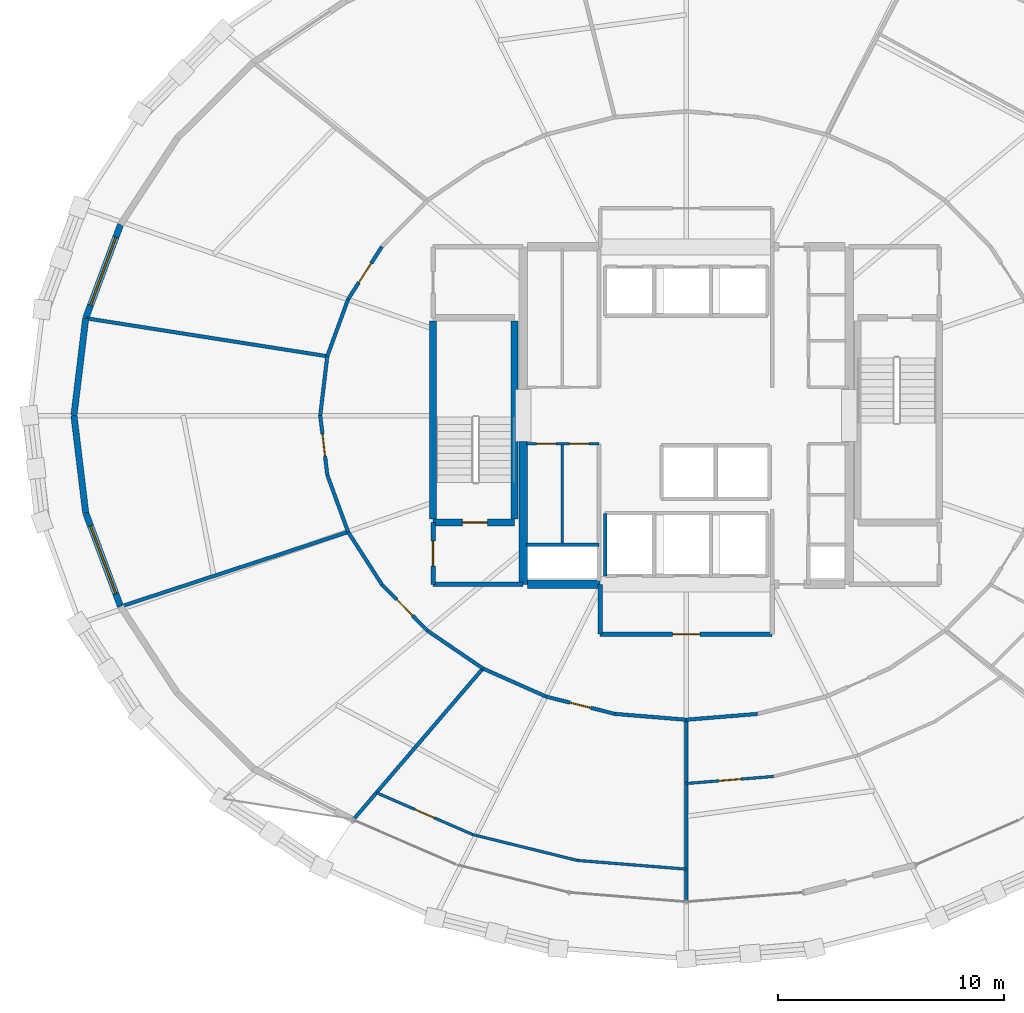
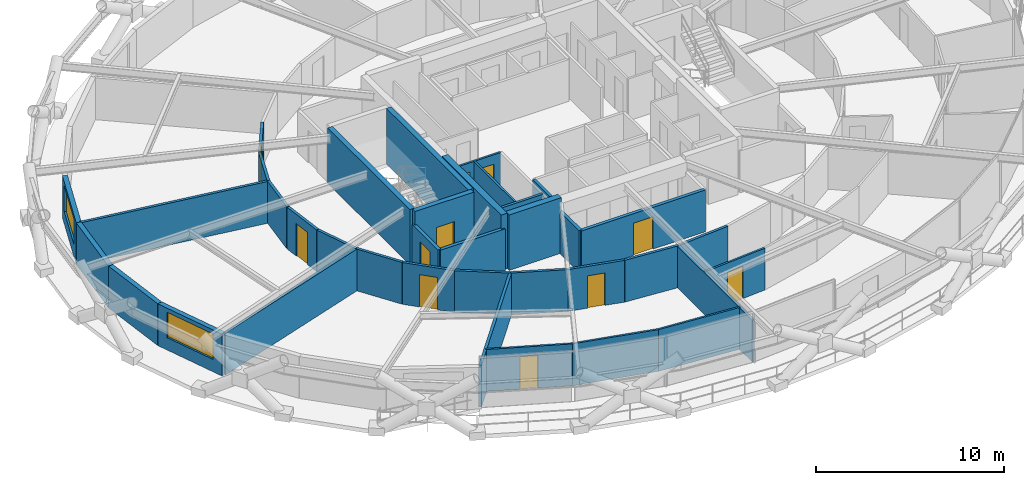
# One storey, part 15 of 22: 37 walls, 11 doors, 2 windows, 13 openings.
"""IFC4 building model written with IfcOpenShell, lengths in metres."""

import ifcopenshell
import ifcopenshell.guid

model = None  # the IFC model being written
_history = None  # IfcOwnerHistory: only IFC2X3 demands one
_inside = {}  # id of a spatial element -> (the spatial element, [elements in it])
_under = {}  # id of a project, library or spatial element -> (it, [spatial elements below it])
_declared = {}  # id of a project -> (the project, [libraries it declares])
_typed = {}  # id of a type object -> (the type object, [elements of that type])
_made_of = {}  # id of a material, layer set ... -> (it, [elements and type objects made of it])


def new_model(schema):
    """Start an empty IFC model of exactly this schema.

    Asked for "IFC4X3", IfcOpenShell would pick the latest addendum, in which some entities
    have other attributes; the version numbers below select the first issue.
    IFC2X3 requires an IfcOwnerHistory on every rooted entity: one is made here for all.
    """
    global model, _history
    if schema == "IFC4X3":
        model = ifcopenshell.file(schema_version=(4, 3, 0, 0))
    else:
        model = ifcopenshell.file(schema=schema)
    _inside.clear()
    _under.clear()
    _declared.clear()
    _typed.clear()
    _made_of.clear()
    _history = None
    if model.schema == "IFC2X3":
        org = make("IfcOrganization", Name="unknown")
        user = make(
            "IfcPersonAndOrganization",
            ThePerson=make("IfcPerson", FamilyName="unknown"),
            TheOrganization=org,
        )
        app = make(
            "IfcApplication",
            ApplicationDeveloper=org,
            Version="unknown",
            ApplicationFullName="unknown",
            ApplicationIdentifier="unknown",
        )
        _history = make(
            "IfcOwnerHistory",
            OwningUser=user,
            OwningApplication=app,
            ChangeAction="ADDED",
            CreationDate=0,
        )
    return model


def make(cls, **values):
    """One entity of the class cls with the attributes given. An attribute that is None is left unset."""
    return model.create_entity(
        cls, **{name: value for name, value in values.items() if value is not None}
    )


def rooted(cls, **values):
    """An entity with a GlobalId (a new one), such as an element, a storey or a relation."""
    return make(cls, GlobalId=ifcopenshell.guid.new(), OwnerHistory=_history, **values)


def si_unit(unit_type, name, prefix=None):
    """IfcSIUnit, for example si_unit("LENGTHUNIT", "METRE", prefix="MILLI")."""
    return make("IfcSIUnit", UnitType=unit_type, Prefix=prefix, Name=name)


def assignment(units):
    """IfcUnitAssignment: the units of a project."""
    return None if units is None else make("IfcUnitAssignment", Units=units)


def point(xyz):
    """IfcCartesianPoint."""
    return None if xyz is None else make("IfcCartesianPoint", Coordinates=xyz)


def direction(xyz):
    """IfcDirection."""
    return None if xyz is None else make("IfcDirection", DirectionRatios=xyz)


def frame(location, z_axis=None, x_axis=None):
    """IfcAxis2Placement3D, a coordinate frame: its origin and axes. An axis left out is left unset."""
    return make(
        "IfcAxis2Placement3D",
        Location=point(location),
        Axis=direction(z_axis),
        RefDirection=direction(x_axis),
    )


def frame_2d(location, x_axis=None):
    """IfcAxis2Placement2D, a coordinate frame in the plane: its origin and x axis."""
    return make(
        "IfcAxis2Placement2D", Location=point(location), RefDirection=direction(x_axis)
    )


def origin():
    """The frame at (0, 0, 0) with its axes left unset."""
    return frame((0.0, 0.0, 0.0))


def place(relative_to, where):
    """IfcLocalPlacement: puts the frame where relative to a parent placement (None: the world)."""
    return make(
        "IfcLocalPlacement", PlacementRelTo=relative_to, RelativePlacement=where
    )


def context(
    kind, dimensions, precision=None, world=None, true_north=None, identifier=None
):
    """IfcGeometricRepresentationContext, for example the 3D "Model" context."""
    return make(
        "IfcGeometricRepresentationContext",
        ContextIdentifier=identifier,
        ContextType=kind,
        CoordinateSpaceDimension=dimensions,
        Precision=precision,
        WorldCoordinateSystem=world,
        TrueNorth=true_north,
    )


def subcontext(parent, identifier, kind, view, scale=None):
    """IfcGeometricRepresentationSubContext, for example "Body" below "Model"."""
    return make(
        "IfcGeometricRepresentationSubContext",
        ContextIdentifier=identifier,
        ContextType=kind,
        ParentContext=parent,
        TargetScale=scale,
        TargetView=view,
    )


def project(units=None, contexts=None):
    """IfcProject with its units and contexts."""
    return rooted(
        "IfcProject",
        Name="project",
        RepresentationContexts=contexts,
        UnitsInContext=assignment(units),
    )


def spatial(cls, under=None, at=None, **own):
    """A site, building, storey or space (cls), placed at a placement, below another one or the project."""
    s = rooted(cls, ObjectPlacement=at, **own)
    if under is not None:
        _under.setdefault(under.id(), (under, []))[1].append(s)
    return s


def profile(cls, at=None, kind="AREA", **sizes):
    """A parametric profile (cls). Its sizes go by their IFC names, for example OverallWidth=200.0."""
    return make(cls, ProfileType=kind, Position=at, **sizes)


def rectangle(**sizes):
    """IfcRectangleProfileDef."""
    return profile("IfcRectangleProfileDef", **sizes)


def extrude(swept, where, along, depth):
    """IfcExtrudedAreaSolid: the profile swept, set in the frame where, extruded along a direction by depth."""
    return make(
        "IfcExtrudedAreaSolid",
        SweptArea=swept,
        Position=where,
        ExtrudedDirection=direction(along),
        Depth=depth,
    )


def shape(context_of_items, identifier, shape_type, items):
    """IfcShapeRepresentation: the items that make up one representation, for example the "Body"."""
    return make(
        "IfcShapeRepresentation",
        ContextOfItems=context_of_items,
        RepresentationIdentifier=identifier,
        RepresentationType=shape_type,
        Items=items,
    )


def material(Name=None, Category=None):
    """IfcMaterial."""
    return make("IfcMaterial", Name=Name, Category=Category)


def layer(
    of_material, thickness, ventilated=None, Name=None, Category=None, Priority=None
):
    """IfcMaterialLayer: one layer of a wall or slab, of a material (None: an air gap)."""
    return make(
        "IfcMaterialLayer",
        Material=of_material,
        LayerThickness=thickness,
        IsVentilated=ventilated,
        Name=Name,
        Category=Category,
        Priority=Priority,
    )


def layer_set(layers, Name=None):
    """IfcMaterialLayerSet."""
    return make("IfcMaterialLayerSet", MaterialLayers=layers, LayerSetName=Name)


def made_of(thing, what):
    """Note that an element or type object is made of a material, layer set ...; save() writes the relation."""
    if what is not None:
        _made_of.setdefault(what.id(), (what, []))[1].append(thing)
    return thing


def type_object(cls, material=None, **own):
    """A type object (cls), such as IfcWallType, which elements share."""
    return made_of(rooted(cls, **own), material)


def element(
    cls,
    number,
    at=None,
    inside=None,
    cuts=None,
    type_object=None,
    material=None,
    context=None,
    identifier="Body",
    shape_type=None,
    held_by="IfcProductDefinitionShape",
    body=None,
    shapes=None,
    **own,
):
    """One element of the class cls, such as IfcWall. Its Tag is "e" and its number.

    at: its placement. inside: the storey or other place that contains it. cuts: it is an
    opening in that element (IfcRelVoidsElement). A single representation is given by context,
    identifier, shape_type and body (its items); several are given by shapes. held_by: the class
    of the entity that holds the representations. save() writes the other relations.
    """
    e = rooted(cls, Tag="e%d" % number, ObjectPlacement=at, **own)
    if body is not None:
        shapes = [shape(context, identifier, shape_type, body)]
    if shapes is not None:
        e.Representation = make(held_by, Representations=shapes)
    if inside is not None:
        _inside.setdefault(inside.id(), (inside, []))[1].append(e)
    if cuts is not None:
        rooted(
            "IfcRelVoidsElement", RelatingBuildingElement=cuts, RelatedOpeningElement=e
        )
    if type_object is not None:
        _typed.setdefault(type_object.id(), (type_object, []))[1].append(e)
    return made_of(e, material)


def fill(opening, filler):
    """IfcRelFillsElement: the door or window that sits in an opening."""
    return rooted(
        "IfcRelFillsElement",
        RelatingOpeningElement=opening,
        RelatedBuildingElement=filler,
    )


def aggregate(whole, parts):
    """IfcRelAggregates: a whole, such as a stair, and the parts it consists of."""
    return rooted("IfcRelAggregates", RelatingObject=whole, RelatedObjects=parts)


def save(model, path):
    """Write the relations noted so far, then the file.

    IfcRelAggregates (storeys below a building ...), IfcRelContainedInSpatialStructure (elements
    in a storey), IfcRelDefinesByType, IfcRelAssociatesMaterial and IfcRelDeclares: one each for
    every whole, place, type object, material and project.
    """
    for whole, parts in _under.values():
        aggregate(whole, parts)
    for where, things in _inside.values():
        rooted(
            "IfcRelContainedInSpatialStructure",
            RelatedElements=things,
            RelatingStructure=where,
        )
    for kind, things in _typed.values():
        rooted("IfcRelDefinesByType", RelatedObjects=things, RelatingType=kind)
    for what, things in _made_of.values():
        rooted("IfcRelAssociatesMaterial", RelatedObjects=things, RelatingMaterial=what)
    for by, libraries in _declared.values():
        rooted("IfcRelDeclares", RelatingContext=by, RelatedDefinitions=libraries)
    model.write(path)


model = new_model("IFC4")

# Units and contexts
model_context = context("Model", 3, precision=1e-05, world=origin(), true_north=direction((0.0, 1.0)))
body_context = subcontext(model_context, "Body", "Model", "MODEL_VIEW")
ifc_project = project(units=[si_unit("LENGTHUNIT", "METRE"), si_unit("AREAUNIT", "SQUARE_METRE"), si_unit("VOLUMEUNIT", "CUBIC_METRE"), si_unit("PLANEANGLEUNIT", "RADIAN"), si_unit("MASSUNIT", "GRAM", prefix="KILO")], contexts=[model_context])

# Site, building, storey
site_placement = place(None, origin())
site = spatial("IfcSite", under=ifc_project, at=site_placement, CompositionType="ELEMENT")
building_placement = place(site_placement, origin())
building = spatial("IfcBuilding", under=site, at=building_placement, Name="Veldorina Hangang Commons", CompositionType="ELEMENT")
storey_placement = place(building_placement, frame((0.0, 0.0, 80.800048828125)))
storey = spatial("IfcBuildingStorey", under=building, at=storey_placement, Name="L20", CompositionType="ELEMENT", Elevation=80.800048828125)

# Walls
ifc_material_1 = material(Name="Concrete C70/85", Category="concrete")
ifc_layer_1 = layer(ifc_material_1, 0.3798828125)
ifc_layer_set_1 = layer_set([ifc_layer_1], Name="Concrete C70/85")
wall_type_1 = type_object("IfcWallType", Name="CW-RC380-C70", PredefinedType="SHEAR", material=ifc_layer_set_1)
wall_1_placement = place(storey_placement, frame((24.800048828125, 16.550048828125, 0.0), z_axis=(0.0, 0.0, 1.0), x_axis=(0.0, 1.0, 0.0)))
element("IfcWall", 1, at=wall_1_placement, inside=storey, type_object=wall_type_1, Name="L20 W south core shear wall", PredefinedType="SHEAR", context=body_context, shape_type="SweptSolid", body=[
    extrude(rectangle(XDim=6.300048828125, YDim=0.3798828125, at=frame_2d((3.14990234375, 0.0))), origin(), (0.0, 0.0, 1.0), 3.599853515625),
])
wall_2_placement = place(storey_placement, frame((24.989990234375, 16.550048828125, 0.0), z_axis=(0.0, 0.0, 1.0), x_axis=(1.0, 0.0, 0.0)))
element("IfcWall", 2, at=wall_2_placement, inside=storey, type_object=wall_type_1, Name="L20 south-west core shear wall", PredefinedType="SHEAR", context=body_context, shape_type="SweptSolid", body=[
    extrude(rectangle(XDim=3.2099609375, YDim=0.3798828125, at=frame_2d((1.60498046875, 0.0))), origin(), (0.0, 0.0, 1.0), 3.599853515625),
])

# Wall, opening, window
ifc_material_2 = material(Name="Stone Roman Travertine", Category="masonry")
ifc_layer_2 = layer(ifc_material_2, 0.280029296875)
ifc_layer_set_2 = layer_set([ifc_layer_2], Name="Stone Roman Travertine")
wall_type_2 = type_object("IfcWallType", Name="EW-TRAV-280", PredefinedType="STANDARD", material=ifc_layer_set_2)
wall_3_placement = place(storey_placement, frame((7.018310546875, 32.434326171875, 0.0), z_axis=(0.0, 0.0, 1.0), x_axis=(-0.348811713435, -0.93719282358, 0.0)))
wall_3 = element("IfcWall", 3, at=wall_3_placement, inside=storey, type_object=wall_type_2, Name="L20 travertine facade wall 14", PredefinedType="STANDARD", context=body_context, shape_type="SweptSolid", body=[
    extrude(rectangle(XDim=4.41162109375, YDim=0.280029296875, at=frame_2d((2.205810546875, 0.0))), origin(), (0.0, 0.0, 1.0), 2.7099609375),
])
opening_1_placement = place(wall_3_placement, frame((0.605712890625, 0.0, 0.800048828125)))
opening_1 = element("IfcOpeningElement", 4, at=opening_1_placement, cuts=wall_3, Name="Opening W-01", PredefinedType="OPENING", context=body_context, shape_type="SweptSolid", body=[
    extrude(rectangle(XDim=3.199951171875, YDim=1.64990234375, at=frame_2d((1.60009765625, 0.824951171875))), frame((0.0, 0.14990234375, 0.0), z_axis=(0.0, -1.0, 0.0), x_axis=(1.0, 0.0, 0.0)), (0.0, 0.0, 1.0), 0.300048828125),
])
ifc_material_3 = material(Name="Glass Low-E Triple IGU", Category="glass")
window_type = type_object("IfcWindowType", Name="WIN-TWR-3200", PartitioningType="SINGLE_PANEL", PredefinedType="WINDOW", material=ifc_material_3)
window_1_placement = place(opening_1_placement, origin())
window_1 = element("IfcWindow", 5, at=window_1_placement, inside=storey, type_object=window_type, Name="L20 facade window 14", OverallHeight=1.64990234375, OverallWidth=3.199951171875, PartitioningType="SINGLE_PANEL", PredefinedType="WINDOW", context=body_context, shape_type="SweptSolid", body=[
    extrude(rectangle(XDim=3.199951171875, YDim=1.64990234375, at=frame_2d((1.60009765625, 0.824951171875))), frame((0.0, 0.030029296875, 0.0), z_axis=(0.0, -1.0, 0.0), x_axis=(1.0, 0.0, 0.0)), (0.0, 0.0, 1.0), 0.06005859375),
])
fill(opening_1, window_1)

# Walls
for number, where, z_axis, x_axis, name in (
    (6, (5.4794921875, 28.2998046875, 0.0), (0.0, 0.0, 1.0), (-0.119954269921, -0.992779418163, 0.0), "L20 travertine facade wall 15"),
    (7, (4.9599609375, 24.0, 0.0), (0.0, 0.0, 1.0), (0.119954269921, -0.992779418163, 0.0), "L20 travertine facade wall 16"),
):
    element("IfcWall", number, at=place(storey_placement, frame(where, z_axis=z_axis, x_axis=x_axis)), inside=storey, type_object=wall_type_2, Name=name, PredefinedType="STANDARD", context=body_context, shape_type="SweptSolid", body=[
        extrude(rectangle(XDim=4.3310546875, YDim=0.280029296875, at=frame_2d((2.16552734375, 0.0))), origin(), (0.0, 0.0, 1.0), 2.7099609375),
    ])

# Wall, opening, window
wall_4_placement = place(storey_placement, frame((5.4794921875, 19.7001953125, 0.0), z_axis=(0.0, 0.0, 1.0), x_axis=(0.348811713435, -0.93719282358, 0.0)))
wall_4 = element("IfcWall", 8, at=wall_4_placement, inside=storey, type_object=wall_type_2, Name="L20 travertine facade wall 17", PredefinedType="STANDARD", context=body_context, shape_type="SweptSolid", body=[
    extrude(rectangle(XDim=4.41162109375, YDim=0.280029296875, at=frame_2d((2.205810546875, 0.0))), origin(), (0.0, 0.0, 1.0), 2.7099609375),
])
opening_2_placement = place(wall_4_placement, frame((0.605712890625, 0.0, 0.800048828125)))
opening_2 = element("IfcOpeningElement", 9, at=opening_2_placement, cuts=wall_4, Name="Opening W-01", PredefinedType="OPENING", context=body_context, shape_type="SweptSolid", body=[
    extrude(rectangle(XDim=3.199951171875, YDim=1.64990234375, at=frame_2d((1.60009765625, 0.824951171875))), frame((0.0, 0.14990234375, 0.0), z_axis=(0.0, -1.0, 0.0), x_axis=(1.0, 0.0, 0.0)), (0.0, 0.0, 1.0), 0.300048828125),
])
window_2_placement = place(opening_2_placement, origin())
window_2 = element("IfcWindow", 10, at=window_2_placement, inside=storey, type_object=window_type, Name="L20 facade window 17", OverallHeight=1.64990234375, OverallWidth=3.199951171875, PartitioningType="SINGLE_PANEL", PredefinedType="WINDOW", context=body_context, shape_type="SweptSolid", body=[
    extrude(rectangle(XDim=3.199951171875, YDim=1.64990234375, at=frame_2d((1.60009765625, 0.824951171875))), frame((0.0, 0.030029296875, 0.0), z_axis=(0.0, -1.0, 0.0), x_axis=(1.0, 0.0, 0.0)), (0.0, 0.0, 1.0), 0.06005859375),
])
fill(opening_2, window_2)

# Walls
ifc_material_4 = material(Name="Concrete C50/60", Category="concrete")
ifc_layer_3 = layer(ifc_material_4, 0.300048828125)
ifc_layer_set_3 = layer_set([ifc_layer_3], Name="Concrete C50/60")
wall_type_3 = type_object("IfcWallType", Name="SW-STAIR-300", PredefinedType="SHEAR", material=ifc_layer_set_3)
for number, where, z_axis, x_axis, name in (
    (11, (20.820068359375, 19.429931640625, 0.0), (0.0, 0.0, 1.0), (0.0, 1.0, 0.0), "L20 ST1 outer stair shear wall"),
    (12, (24.419921875, 19.429931640625, 0.0), (0.0, 0.0, 1.0), (0.0, 1.0, 0.0), "L20 ST1 inner stair shear wall"),
):
    element("IfcWall", number, at=place(storey_placement, frame(where, z_axis=z_axis, x_axis=x_axis)), inside=storey, type_object=wall_type_3, Name=name, PredefinedType="SHEAR", context=body_context, shape_type="SweptSolid", body=[
        extrude(rectangle(XDim=8.739990234375, YDim=0.300048828125, at=frame_2d((4.3701171875, 0.0))), origin(), (0.0, 0.0, 1.0), 3.599853515625),
    ])

# Wall, opening, door
wall_5_placement = place(storey_placement, frame((20.820068359375, 19.280029296875, 0.0), z_axis=(0.0, 0.0, 1.0), x_axis=(1.0, 0.0, 0.0)))
wall_5 = element("IfcWall", 13, at=wall_5_placement, inside=storey, type_object=wall_type_3, Name="L20 ST1 south stair shear wall", PredefinedType="SHEAR", context=body_context, shape_type="SweptSolid", body=[
    extrude(rectangle(XDim=3.599853515625, YDim=0.300048828125, at=frame_2d((1.7998046875, 0.0))), origin(), (0.0, 0.0, 1.0), 3.599853515625),
])
opening_3_placement = place(wall_5_placement, frame((1.300048828125, 0.0, 0.0)))
opening_3 = element("IfcOpeningElement", 14, at=opening_3_placement, cuts=wall_5, Name="Opening D-08", PredefinedType="OPENING", context=body_context, shape_type="SweptSolid", body=[
    extrude(rectangle(XDim=1.10009765625, YDim=2.10009765625, at=frame_2d((0.550048828125, 1.050048828125))), frame((0.0, 0.16015625, 0.0), z_axis=(0.0, -1.0, 0.0), x_axis=(1.0, 0.0, 0.0)), (0.0, 0.0, 1.0), 0.320068359375),
])
ifc_material_5 = material(Name="Steel Fire-Rated Smoke Seal", Category="steel")
door_type_1 = type_object("IfcDoorType", Name="DR-FIRE-1100", OperationType="SINGLE_SWING_RIGHT", PredefinedType="DOOR", material=ifc_material_5)
door_1_placement = place(opening_3_placement, origin())
door_1 = element("IfcDoor", 15, at=door_1_placement, inside=storey, type_object=door_type_1, Name="L20 Special Escape Stair ST-1 door", OperationType="SINGLE_SWING_LEFT", OverallHeight=2.10009765625, OverallWidth=1.10009765625, PredefinedType="DOOR", context=body_context, shape_type="SweptSolid", body=[
    extrude(rectangle(XDim=1.10009765625, YDim=2.10009765625, at=frame_2d((0.550048828125, 1.050048828125))), frame((0.0, 0.02490234375, 0.0), z_axis=(0.0, -1.0, 0.0), x_axis=(1.0, 0.0, 0.0)), (0.0, 0.0, 1.0), 0.050048828125),
])
fill(opening_3, door_1)

# Walls
ifc_material_6 = material(Name="Gypsum Fire-Rated Twin Stud Wall", Category="gypsum")
ifc_layer_4 = layer(ifc_material_6, 0.159912109375)
ifc_layer_set_4 = layer_set([ifc_layer_4], Name="Gypsum Fire-Rated Twin Stud Wall")
wall_type_4 = type_object("IfcWallType", Name="WL-FIRE-160", PredefinedType="SOLIDWALL", material=ifc_layer_set_4)
wall_6_placement = place(storey_placement, frame((28.419921875, 16.919921875, 0.0), z_axis=(0.0, 0.0, 1.0), x_axis=(0.0, 1.0, 0.0)))
element("IfcWall", 16, at=wall_6_placement, inside=storey, type_object=wall_type_4, Name="L20 FFL-1 west shaft wall 028", PredefinedType="SOLIDWALL", context=body_context, shape_type="SweptSolid", body=[
    extrude(rectangle(XDim=2.760009765625, YDim=0.159912109375, at=frame_2d((1.3798828125, 0.0))), origin(), (0.0, 0.0, 1.0), 2.7099609375),
])
wall_7_placement = place(storey_placement, frame((24.949951171875, 18.300048828125, 0.0), z_axis=(0.0, 0.0, 1.0), x_axis=(1.0, 0.0, 0.0)))
element("IfcWall", 17, at=wall_7_placement, inside=storey, type_object=wall_type_4, Name="L20 Electrical riser wall 035", PredefinedType="SOLIDWALL", context=body_context, shape_type="SweptSolid", body=[
    extrude(rectangle(XDim=3.199951171875, YDim=0.159912109375, at=frame_2d((1.60009765625, 0.0))), origin(), (0.0, 0.0, 1.0), 2.7099609375),
])

# Wall, opening, door
wall_8_placement = place(storey_placement, frame((18.561767578125, 31.46337890625, 0.0), z_axis=(0.0, 0.0, 1.0), x_axis=(-0.540891657444, -0.841092274907, 0.0)))
wall_8 = element("IfcWall", 18, at=wall_8_placement, inside=storey, type_object=wall_type_4, Name="L20 Corridor outer wall 13 063", PredefinedType="SOLIDWALL", context=body_context, shape_type="SweptSolid", body=[
    extrude(rectangle(XDim=2.760986328125, YDim=0.159912109375, at=frame_2d((1.38037109375, 0.0))), origin(), (0.0, 0.0, 1.0), 2.7099609375),
])
opening_4_placement = place(wall_8_placement, frame((0.880615234375, 0.0, 0.0)))
opening_4 = element("IfcOpeningElement", 19, at=opening_4_placement, cuts=wall_8, Name="Opening D-05", PredefinedType="OPENING", context=body_context, shape_type="SweptSolid", body=[
    extrude(rectangle(XDim=1.0, YDim=2.10009765625, at=frame_2d((0.5, 1.050048828125))), frame((0.0, 0.08984375, 0.0), z_axis=(0.0, -1.0, 0.0), x_axis=(1.0, 0.0, 0.0)), (0.0, 0.0, 1.0), 0.179931640625),
])
ifc_material_7 = material(Name="Timber Solid Core Acoustic", Category="wood")
door_type_2 = type_object("IfcDoorType", Name="DR-INT-1000", OperationType="SINGLE_SWING_RIGHT", PredefinedType="DOOR", material=ifc_material_7)
door_2_placement = place(opening_4_placement, origin())
door_2 = element("IfcDoor", 20, at=door_2_placement, inside=storey, type_object=door_type_2, Name="L20 Floor Study Room 6 door 038", OperationType="SINGLE_SWING_RIGHT", OverallHeight=2.10009765625, OverallWidth=1.0, PredefinedType="DOOR", context=body_context, shape_type="SweptSolid", body=[
    extrude(rectangle(XDim=1.0, YDim=2.10009765625, at=frame_2d((0.5, 1.050048828125))), frame((0.0, 0.02490234375, 0.0), z_axis=(0.0, -1.0, 0.0), x_axis=(1.0, 0.0, 0.0)), (0.0, 0.0, 1.0), 0.050048828125),
])
fill(opening_4, door_2)

# Walls
wall_9_placement = place(storey_placement, frame((17.068359375, 29.14111328125, 0.0), z_axis=(0.0, 0.0, 1.0), x_axis=(-0.342882618672, -0.939378257047, 0.0)))
element("IfcWall", 21, at=wall_9_placement, inside=storey, type_object=wall_type_4, Name="L20 Corridor outer wall 14 064", PredefinedType="SOLIDWALL", context=body_context, shape_type="SweptSolid", body=[
    extrude(rectangle(XDim=2.682861328125, YDim=0.159912109375, at=frame_2d((1.34130859375, 0.0))), origin(), (0.0, 0.0, 1.0), 2.7099609375),
])
wall_10_placement = place(storey_placement, frame((16.1484375, 26.620849609375, 0.0), z_axis=(0.0, 0.0, 1.0), x_axis=(-0.117667763342, -0.993053018459, 0.0)))
element("IfcWall", 22, at=wall_10_placement, inside=storey, type_object=wall_type_4, Name="L20 Corridor outer wall 15 065", PredefinedType="SOLIDWALL", context=body_context, shape_type="SweptSolid", body=[
    extrude(rectangle(XDim=2.63916015625, YDim=0.159912109375, at=frame_2d((1.319580078125, 0.0))), origin(), (0.0, 0.0, 1.0), 2.7099609375),
])

# Wall, opening, door
wall_11_placement = place(storey_placement, frame((15.837890625, 24.0, 0.0), z_axis=(0.0, 0.0, 1.0), x_axis=(0.117667763342, -0.993053018459, 0.0)))
wall_11 = element("IfcWall", 23, at=wall_11_placement, inside=storey, type_object=wall_type_4, Name="L20 Corridor outer wall 16 066", PredefinedType="SOLIDWALL", context=body_context, shape_type="SweptSolid", body=[
    extrude(rectangle(XDim=2.63916015625, YDim=0.159912109375, at=frame_2d((1.319580078125, 0.0))), origin(), (0.0, 0.0, 1.0), 2.7099609375),
])
opening_5_placement = place(wall_11_placement, frame((0.819580078125, 0.0, 0.0)))
opening_5 = element("IfcOpeningElement", 24, at=opening_5_placement, cuts=wall_11, Name="Opening D-05", PredefinedType="OPENING", context=body_context, shape_type="SweptSolid", body=[
    extrude(rectangle(XDim=1.0, YDim=2.10009765625, at=frame_2d((0.5, 1.050048828125))), frame((0.0, 0.08984375, 0.0), z_axis=(0.0, -1.0, 0.0), x_axis=(1.0, 0.0, 0.0)), (0.0, 0.0, 1.0), 0.179931640625),
])
door_3_placement = place(opening_5_placement, origin())
door_3 = element("IfcDoor", 25, at=door_3_placement, inside=storey, type_object=door_type_2, Name="L20 Seminar Focus Room 7 door 039", OperationType="SINGLE_SWING_LEFT", OverallHeight=2.10009765625, OverallWidth=1.0, PredefinedType="DOOR", context=body_context, shape_type="SweptSolid", body=[
    extrude(rectangle(XDim=1.0, YDim=2.10009765625, at=frame_2d((0.5, 1.050048828125))), frame((0.0, 0.02490234375, 0.0), z_axis=(0.0, -1.0, 0.0), x_axis=(1.0, 0.0, 0.0)), (0.0, 0.0, 1.0), 0.050048828125),
])
fill(opening_5, door_3)

# Walls
wall_12_placement = place(storey_placement, frame((16.1484375, 21.379150390625, 0.0), z_axis=(0.0, 0.0, 1.0), x_axis=(0.342882618672, -0.939378257047, 0.0)))
element("IfcWall", 26, at=wall_12_placement, inside=storey, type_object=wall_type_4, Name="L20 Corridor outer wall 17 067", PredefinedType="SOLIDWALL", context=body_context, shape_type="SweptSolid", body=[
    extrude(rectangle(XDim=2.682861328125, YDim=0.159912109375, at=frame_2d((1.34130859375, 0.0))), origin(), (0.0, 0.0, 1.0), 2.7099609375),
])
wall_13_placement = place(storey_placement, frame((17.068359375, 18.85888671875, 0.0), z_axis=(0.0, 0.0, 1.0), x_axis=(0.540891657444, -0.841092274907, 0.0)))
element("IfcWall", 27, at=wall_13_placement, inside=storey, type_object=wall_type_4, Name="L20 Corridor outer wall 18 068", PredefinedType="SOLIDWALL", context=body_context, shape_type="SweptSolid", body=[
    extrude(rectangle(XDim=2.760986328125, YDim=0.159912109375, at=frame_2d((1.38037109375, 0.0))), origin(), (0.0, 0.0, 1.0), 2.7099609375),
])

# Wall, opening, door
wall_14_placement = place(storey_placement, frame((18.561767578125, 16.53662109375, 0.0), z_axis=(0.0, 0.0, 1.0), x_axis=(0.702569520063, -0.711615113301, 0.0)))
wall_14 = element("IfcWall", 28, at=wall_14_placement, inside=storey, type_object=wall_type_4, Name="L20 Corridor outer wall 19 069", PredefinedType="SOLIDWALL", context=body_context, shape_type="SweptSolid", body=[
    extrude(rectangle(XDim=2.86083984375, YDim=0.159912109375, at=frame_2d((1.430419921875, 0.0))), origin(), (0.0, 0.0, 1.0), 2.7099609375),
])
opening_6_placement = place(wall_14_placement, frame((0.930419921875, 0.0, 0.0)))
opening_6 = element("IfcOpeningElement", 29, at=opening_6_placement, cuts=wall_14, Name="Opening D-05", PredefinedType="OPENING", context=body_context, shape_type="SweptSolid", body=[
    extrude(rectangle(XDim=1.0, YDim=2.10009765625, at=frame_2d((0.5, 1.050048828125))), frame((0.0, 0.08984375, 0.0), z_axis=(0.0, -1.0, 0.0), x_axis=(1.0, 0.0, 0.0)), (0.0, 0.0, 1.0), 0.179931640625),
])
door_4_placement = place(opening_6_placement, origin())
door_4 = element("IfcDoor", 30, at=door_4_placement, inside=storey, type_object=door_type_2, Name="L20 Seminar Focus Room 8 door 040", OperationType="SINGLE_SWING_RIGHT", OverallHeight=2.10009765625, OverallWidth=1.0, PredefinedType="DOOR", context=body_context, shape_type="SweptSolid", body=[
    extrude(rectangle(XDim=1.0, YDim=2.10009765625, at=frame_2d((0.5, 1.050048828125))), frame((0.0, 0.02490234375, 0.0), z_axis=(0.0, -1.0, 0.0), x_axis=(1.0, 0.0, 0.0)), (0.0, 0.0, 1.0), 0.050048828125),
])
fill(opening_6, door_4)

# Walls
wall_15_placement = place(storey_placement, frame((20.57177734375, 14.500732421875, 0.0), z_axis=(0.0, 0.0, 1.0), x_axis=(0.826112340767, -0.563505457323, 0.0)))
element("IfcWall", 31, at=wall_15_placement, inside=storey, type_object=wall_type_4, Name="L20 Corridor outer wall 20 070", PredefinedType="SOLIDWALL", context=body_context, shape_type="SweptSolid", body=[
    extrude(rectangle(XDim=2.96484375, YDim=0.159912109375, at=frame_2d((1.482421875, 0.0))), origin(), (0.0, 0.0, 1.0), 2.7099609375),
])
wall_16_placement = place(storey_placement, frame((23.02099609375, 12.830078125, 0.0), z_axis=(0.0, 0.0, 1.0), x_axis=(0.913860932409, -0.406027334321, 0.0)))
element("IfcWall", 32, at=wall_16_placement, inside=storey, type_object=wall_type_4, Name="L20 Corridor outer wall 21 071", PredefinedType="SOLIDWALL", context=body_context, shape_type="SweptSolid", body=[
    extrude(rectangle(XDim=3.0576171875, YDim=0.159912109375, at=frame_2d((1.52880859375, 0.0))), origin(), (0.0, 0.0, 1.0), 2.7099609375),
])

# Wall, opening, door
wall_17_placement = place(storey_placement, frame((25.815185546875, 11.588623046875, 0.0), z_axis=(0.0, 0.0, 1.0), x_axis=(0.969653665365, -0.244482656326, 0.0)))
wall_17 = element("IfcWall", 33, at=wall_17_placement, inside=storey, type_object=wall_type_4, Name="L20 Corridor outer wall 22 072", PredefinedType="SOLIDWALL", context=body_context, shape_type="SweptSolid", body=[
    extrude(rectangle(XDim=3.126708984375, YDim=0.159912109375, at=frame_2d((1.5634765625, 0.0))), origin(), (0.0, 0.0, 1.0), 2.7099609375),
])
opening_7_placement = place(wall_17_placement, frame((1.08837890625, 0.0, 0.0)))
opening_7 = element("IfcOpeningElement", 34, at=opening_7_placement, cuts=wall_17, Name="Opening D-02", PredefinedType="OPENING", context=body_context, shape_type="SweptSolid", body=[
    extrude(rectangle(XDim=0.949951171875, YDim=2.10009765625, at=frame_2d((0.47509765625, 1.050048828125))), frame((0.0, 0.08984375, 0.0), z_axis=(0.0, -1.0, 0.0), x_axis=(1.0, 0.0, 0.0)), (0.0, 0.0, 1.0), 0.179931640625),
])
door_type_3 = type_object("IfcDoorType", Name="DR-INT-950", OperationType="SINGLE_SWING_LEFT", PredefinedType="DOOR", material=ifc_material_7)
door_5_placement = place(opening_7_placement, origin())
door_5 = element("IfcDoor", 35, at=door_5_placement, inside=storey, type_object=door_type_3, Name="L20 Linen drying store door 041", OperationType="SINGLE_SWING_LEFT", OverallHeight=2.10009765625, OverallWidth=0.949951171875, PredefinedType="DOOR", context=body_context, shape_type="SweptSolid", body=[
    extrude(rectangle(XDim=0.949951171875, YDim=2.10009765625, at=frame_2d((0.47509765625, 1.050048828125))), frame((0.0, 0.02490234375, 0.0), z_axis=(0.0, -1.0, 0.0), x_axis=(1.0, 0.0, 0.0)), (0.0, 0.0, 1.0), 0.050048828125),
])
fill(opening_7, door_5)

# Walls
for number, where, z_axis, x_axis, name in (
    (36, (28.846923828125, 10.82421875, 0.0), (0.0, 0.0, 1.0), (0.996661331307, -0.081646743207, 0.0), "L20 Corridor outer wall 23 073"),
    (37, (32.0, 10.56591796875, 0.0), (0.0, 0.0, 1.0), (0.996661331307, 0.081646743207, 0.0), "L20 Corridor outer wall 24 074"),
):
    element("IfcWall", number, at=place(storey_placement, frame(where, z_axis=z_axis, x_axis=x_axis)), inside=storey, type_object=wall_type_4, Name=name, PredefinedType="SOLIDWALL", context=body_context, shape_type="SweptSolid", body=[
        extrude(rectangle(XDim=3.16357421875, YDim=0.159912109375, at=frame_2d((1.581787109375, 0.0))), origin(), (0.0, 0.0, 1.0), 2.7099609375),
    ])
wall_18_placement = place(storey_placement, frame((32.0, 10.56591796875, 0.0), z_axis=(0.0, 0.0, 1.0), x_axis=(0.0, -1.0, 0.0)))
element("IfcWall", 38, at=wall_18_placement, inside=storey, type_object=wall_type_4, Name="L20 Unit party wall 24 082", PredefinedType="SOLIDWALL", context=body_context, shape_type="SweptSolid", body=[
    extrude(rectangle(XDim=7.995849609375, YDim=0.159912109375, at=frame_2d((3.998046875, 0.0))), origin(), (0.0, 0.0, 1.0), 2.7099609375),
])
wall_19_placement = place(storey_placement, frame((16.1484375, 26.620849609375, 0.0), z_axis=(0.0, 0.0, 1.0), x_axis=(-0.987843119508, 0.155454080811, 0.0)))
element("IfcWall", 39, at=wall_19_placement, inside=storey, type_object=wall_type_4, Name="L20 Unit party wall 15 110", PredefinedType="SOLIDWALL", context=body_context, shape_type="SweptSolid", body=[
    extrude(rectangle(XDim=10.75, YDim=0.159912109375, at=frame_2d((5.375, 0.0))), origin(), (0.0, 0.0, 1.0), 2.7099609375),
])
wall_20_placement = place(storey_placement, frame((17.068359375, 18.85888671875, 0.0), z_axis=(0.0, 0.0, 1.0), x_axis=(-0.950282996708, -0.311387581909, 0.0)))
element("IfcWall", 40, at=wall_20_placement, inside=storey, type_object=wall_type_4, Name="L20 Unit party wall 18 111", PredefinedType="SOLIDWALL", context=body_context, shape_type="SweptSolid", body=[
    extrude(rectangle(XDim=10.525634765625, YDim=0.159912109375, at=frame_2d((5.2626953125, 0.0))), origin(), (0.0, 0.0, 1.0), 2.7099609375),
])
wall_21_placement = place(storey_placement, frame((23.02099609375, 12.830078125, 0.0), z_axis=(0.0, 0.0, 1.0), x_axis=(-0.650669722838, -0.75936085742, 0.0)))
element("IfcWall", 41, at=wall_21_placement, inside=storey, type_object=wall_type_4, Name="L20 Unit party wall 21 112", PredefinedType="SOLIDWALL", context=body_context, shape_type="SweptSolid", body=[
    extrude(rectangle(XDim=8.760009765625, YDim=0.159912109375, at=frame_2d((4.3798828125, 0.0))), origin(), (0.0, 0.0, 1.0), 2.7099609375),
])

# Wall, opening, door
ifc_material_8 = material(Name="Concrete Blockwork Fire Wall C30/37", Category="masonry")
ifc_layer_5 = layer(ifc_material_8, 0.199951171875)
ifc_layer_set_5 = layer_set([ifc_layer_5], Name="Concrete Blockwork Fire Wall C30/37")
wall_type_5 = type_object("IfcWallType", Name="WL-FIRE-200", PredefinedType="SOLIDWALL", material=ifc_layer_set_5)
wall_22_placement = place(storey_placement, frame((20.820068359375, 16.550048828125, 0.0), z_axis=(0.0, 0.0, 1.0), x_axis=(0.0, 1.0, 0.0)))
wall_22 = element("IfcWall", 42, at=wall_22_placement, inside=storey, type_object=wall_type_5, Name="L20 West vestibule outer wall 001", PredefinedType="SOLIDWALL", context=body_context, shape_type="SweptSolid", body=[
    extrude(rectangle(XDim=2.72998046875, YDim=0.199951171875, at=frame_2d((1.364990234375, 0.0))), origin(), (0.0, 0.0, 1.0), 2.7099609375),
])
opening_8_placement = place(wall_22_placement, frame((0.81494140625, 0.0, 0.0)))
opening_8 = element("IfcOpeningElement", 43, at=opening_8_placement, cuts=wall_22, Name="Opening D-08", PredefinedType="OPENING", context=body_context, shape_type="SweptSolid", body=[
    extrude(rectangle(XDim=1.10009765625, YDim=2.10009765625, at=frame_2d((0.550048828125, 1.050048828125))), frame((0.0, 0.10986328125, 0.0), z_axis=(0.0, -1.0, 0.0), x_axis=(1.0, 0.0, 0.0)), (0.0, 0.0, 1.0), 0.219970703125),
])
door_6_placement = place(opening_8_placement, origin())
door_6 = element("IfcDoor", 44, at=door_6_placement, inside=storey, type_object=door_type_1, Name="L20 West vestibule west door 001", OperationType="SINGLE_SWING_LEFT", OverallHeight=2.10009765625, OverallWidth=1.10009765625, PredefinedType="DOOR", context=body_context, shape_type="SweptSolid", body=[
    extrude(rectangle(XDim=1.10009765625, YDim=2.10009765625, at=frame_2d((0.550048828125, 1.050048828125))), frame((0.0, 0.02490234375, 0.0), z_axis=(0.0, -1.0, 0.0), x_axis=(1.0, 0.0, 0.0)), (0.0, 0.0, 1.0), 0.050048828125),
])
fill(opening_8, door_6)

# Walls
wall_23_placement = place(storey_placement, frame((20.820068359375, 16.550048828125, 0.0), z_axis=(0.0, 0.0, 1.0), x_axis=(1.0, 0.0, 0.0)))
element("IfcWall", 45, at=wall_23_placement, inside=storey, type_object=wall_type_5, Name="L20 West vestibule south wall 002", PredefinedType="SOLIDWALL", context=body_context, shape_type="SweptSolid", body=[
    extrude(rectangle(XDim=3.97998046875, YDim=0.199951171875, at=frame_2d((1.989990234375, 0.0))), origin(), (0.0, 0.0, 1.0), 2.7099609375),
])
wall_24_placement = place(storey_placement, frame((28.199951171875, 14.35009765625, 0.0), z_axis=(0.0, 0.0, 1.0), x_axis=(0.0, 1.0, 0.0)))
element("IfcWall", 46, at=wall_24_placement, inside=storey, type_object=wall_type_5, Name="L20 FF lobby west wall 012", PredefinedType="SOLIDWALL", context=body_context, shape_type="SweptSolid", body=[
    extrude(rectangle(XDim=2.199951171875, YDim=0.199951171875, at=frame_2d((1.10009765625, 0.0))), origin(), (0.0, 0.0, 1.0), 2.7099609375),
])

# Wall, opening, door
wall_25_placement = place(storey_placement, frame((28.199951171875, 14.35009765625, 0.0), z_axis=(0.0, 0.0, 1.0), x_axis=(1.0, 0.0, 0.0)))
wall_25 = element("IfcWall", 47, at=wall_25_placement, inside=storey, type_object=wall_type_5, Name="L20 FF lobby south wall 014", PredefinedType="SOLIDWALL", context=body_context, shape_type="SweptSolid", body=[
    extrude(rectangle(XDim=7.60009765625, YDim=0.199951171875, at=frame_2d((3.800048828125, 0.0))), origin(), (0.0, 0.0, 1.0), 2.7099609375),
])
opening_9_placement = place(wall_25_placement, frame((3.199951171875, 0.0, 0.0)))
opening_9 = element("IfcOpeningElement", 48, at=opening_9_placement, cuts=wall_25, Name="Opening D-09", PredefinedType="OPENING", context=body_context, shape_type="SweptSolid", body=[
    extrude(rectangle(XDim=1.199951171875, YDim=2.10009765625, at=frame_2d((0.60009765625, 1.050048828125))), frame((0.0, 0.10986328125, 0.0), z_axis=(0.0, -1.0, 0.0), x_axis=(1.0, 0.0, 0.0)), (0.0, 0.0, 1.0), 0.219970703125),
])
ifc_material_9 = material(Name="Steel Fire-Rated Corridor Door", Category="steel")
door_type_4 = type_object("IfcDoorType", Name="DR-FIRE-1200", OperationType="SINGLE_SWING_LEFT", PredefinedType="DOOR", material=ifc_material_9)
door_7_placement = place(opening_9_placement, origin())
door_7 = element("IfcDoor", 49, at=door_7_placement, inside=storey, type_object=door_type_4, Name="L20 FF lobby south corridor door 005", OperationType="SINGLE_SWING_LEFT", OverallHeight=2.10009765625, OverallWidth=1.199951171875, PredefinedType="DOOR", context=body_context, shape_type="SweptSolid", body=[
    extrude(rectangle(XDim=1.199951171875, YDim=2.10009765625, at=frame_2d((0.60009765625, 1.050048828125))), frame((0.0, 0.02490234375, 0.0), z_axis=(0.0, -1.0, 0.0), x_axis=(1.0, 0.0, 0.0)), (0.0, 0.0, 1.0), 0.050048828125),
])
fill(opening_9, door_7)

# Wall, openings, doors
ifc_material_10 = material(Name="Gypsum Acoustic Stud Partition", Category="gypsum")
ifc_layer_6 = layer(ifc_material_10, 0.1201171875)
ifc_layer_set_6 = layer_set([ifc_layer_6], Name="Gypsum Acoustic Stud Partition")
wall_type_6 = type_object("IfcWallType", Name="WL-PART-120", PredefinedType="PARTITIONING", material=ifc_layer_set_6)
wall_26_placement = place(storey_placement, frame((24.949951171875, 22.75, 0.0), z_axis=(0.0, 0.0, 1.0), x_axis=(1.0, 0.0, 0.0)))
wall_26 = element("IfcWall", 50, at=wall_26_placement, inside=storey, type_object=wall_type_6, Name="L20 SW service north wall 040", PredefinedType="PARTITIONING", context=body_context, shape_type="SweptSolid", body=[
    extrude(rectangle(XDim=3.199951171875, YDim=0.1201171875, at=frame_2d((1.60009765625, 0.0))), origin(), (0.0, 0.0, 1.0), 2.7099609375),
])
opening_10_placement = place(wall_26_placement, frame((0.43994140625, 0.0, 0.0)))
opening_10 = element("IfcOpeningElement", 51, at=opening_10_placement, cuts=wall_26, Name="Opening D-01", PredefinedType="OPENING", context=body_context, shape_type="SweptSolid", body=[
    extrude(rectangle(XDim=0.860107421875, YDim=2.10009765625, at=frame_2d((0.43017578125, 1.050048828125))), frame((0.0, 0.070068359375, 0.0), z_axis=(0.0, -1.0, 0.0), x_axis=(1.0, 0.0, 0.0)), (0.0, 0.0, 1.0), 0.14013671875),
])
opening_11_placement = place(wall_26_placement, frame((1.89990234375, 0.0, 0.0)))
opening_11 = element("IfcOpeningElement", 52, at=opening_11_placement, cuts=wall_26, Name="Opening D-01", PredefinedType="OPENING", context=body_context, shape_type="SweptSolid", body=[
    extrude(rectangle(XDim=0.860107421875, YDim=2.10009765625, at=frame_2d((0.43017578125, 1.050048828125))), frame((0.0, 0.070068359375, 0.0), z_axis=(0.0, -1.0, 0.0), x_axis=(1.0, 0.0, 0.0)), (0.0, 0.0, 1.0), 0.14013671875),
])
ifc_material_11 = material(Name="Timber Moisture-Resistant Core", Category="wood")
door_type_5 = type_object("IfcDoorType", Name="DR-WET-860", OperationType="SINGLE_SWING_LEFT", PredefinedType="DOOR", material=ifc_material_11)
door_8_placement = place(opening_10_placement, origin())
door_8 = element("IfcDoor", 53, at=door_8_placement, inside=storey, type_object=door_type_5, Name="L20 Cleaners door 015", OperationType="SINGLE_SWING_LEFT", OverallHeight=2.10009765625, OverallWidth=0.860107421875, PredefinedType="DOOR", context=body_context, shape_type="SweptSolid", body=[
    extrude(rectangle(XDim=0.860107421875, YDim=2.10009765625, at=frame_2d((0.43017578125, 1.050048828125))), frame((0.0, 0.02490234375, 0.0), z_axis=(0.0, -1.0, 0.0), x_axis=(1.0, 0.0, 0.0)), (0.0, 0.0, 1.0), 0.050048828125),
])
fill(opening_10, door_8)
door_9_placement = place(opening_11_placement, origin())
door_9 = element("IfcDoor", 54, at=door_9_placement, inside=storey, type_object=door_type_5, Name="L20 Metering door 016", OperationType="SINGLE_SWING_RIGHT", OverallHeight=2.10009765625, OverallWidth=0.860107421875, PredefinedType="DOOR", context=body_context, shape_type="SweptSolid", body=[
    extrude(rectangle(XDim=0.860107421875, YDim=2.10009765625, at=frame_2d((0.43017578125, 1.050048828125))), frame((0.0, 0.02490234375, 0.0), z_axis=(0.0, -1.0, 0.0), x_axis=(1.0, 0.0, 0.0)), (0.0, 0.0, 1.0), 0.050048828125),
])
fill(opening_11, door_9)

# Wall
wall_27_placement = place(storey_placement, frame((26.530029296875, 18.300048828125, 0.0), z_axis=(0.0, 0.0, 1.0), x_axis=(0.0, 1.0, 0.0)))
element("IfcWall", 55, at=wall_27_placement, inside=storey, type_object=wall_type_6, Name="L20 SW vertical split 046", PredefinedType="PARTITIONING", context=body_context, shape_type="SweptSolid", body=[
    extrude(rectangle(XDim=4.449951171875, YDim=0.1201171875, at=frame_2d((2.22509765625, 0.0))), origin(), (0.0, 0.0, 1.0), 2.7099609375),
])

# Wall, opening, door
wall_28_placement = place(storey_placement, frame((32.0, 7.75, 0.0), z_axis=(0.0, 0.0, 1.0), x_axis=(0.996744686236, 0.080622766393, 0.0)))
wall_28 = element("IfcWall", 56, at=wall_28_placement, inside=storey, type_object=wall_type_6, Name="L20 Lounge alcove split 0 083", PredefinedType="PARTITIONING", context=body_context, shape_type="SweptSolid", body=[
    extrude(rectangle(XDim=3.8701171875, YDim=0.1201171875, at=frame_2d((1.93505859375, 0.0))), origin(), (0.0, 0.0, 1.0), 2.7099609375),
])
opening_12_placement = place(wall_28_placement, frame((1.43505859375, 0.0, 0.0)))
opening_12 = element("IfcOpeningElement", 57, at=opening_12_placement, cuts=wall_28, Name="Opening D-05", PredefinedType="OPENING", context=body_context, shape_type="SweptSolid", body=[
    extrude(rectangle(XDim=1.0, YDim=2.10009765625, at=frame_2d((0.5, 1.050048828125))), frame((0.0, 0.070068359375, 0.0), z_axis=(0.0, -1.0, 0.0), x_axis=(1.0, 0.0, 0.0)), (0.0, 0.0, 1.0), 0.14013671875),
])
door_10_placement = place(opening_12_placement, origin())
door_10 = element("IfcDoor", 58, at=door_10_placement, inside=storey, type_object=door_type_2, Name="L20 Commons lounge door 023", OperationType="SINGLE_SWING_LEFT", OverallHeight=2.10009765625, OverallWidth=1.0, PredefinedType="DOOR", context=body_context, shape_type="SweptSolid", body=[
    extrude(rectangle(XDim=1.0, YDim=2.10009765625, at=frame_2d((0.5, 1.050048828125))), frame((0.0, 0.02490234375, 0.0), z_axis=(0.0, -1.0, 0.0), x_axis=(1.0, 0.0, 0.0)), (0.0, 0.0, 1.0), 0.050048828125),
])
fill(opening_12, door_10)

wall_29_placement = place(storey_placement, frame((18.3203125, 7.34423828125, 0.0), z_axis=(0.0, 0.0, 1.0), x_axis=(0.917048314464, -0.398776113803, 0.0)))
wall_29 = element("IfcWall", 59, at=wall_29_placement, inside=storey, type_object=wall_type_6, Name="L20 Laundry split 0 113", PredefinedType="PARTITIONING", context=body_context, shape_type="SweptSolid", body=[
    extrude(rectangle(XDim=4.641845703125, YDim=0.1201171875, at=frame_2d((2.32080078125, 0.0))), origin(), (0.0, 0.0, 1.0), 2.7099609375),
])
opening_13_placement = place(wall_29_placement, frame((1.845947265625, 0.0, 0.0)))
opening_13 = element("IfcOpeningElement", 60, at=opening_13_placement, cuts=wall_29, Name="Opening D-02", PredefinedType="OPENING", context=body_context, shape_type="SweptSolid", body=[
    extrude(rectangle(XDim=0.949951171875, YDim=2.10009765625, at=frame_2d((0.47509765625, 1.050048828125))), frame((0.0, 0.070068359375, 0.0), z_axis=(0.0, -1.0, 0.0), x_axis=(1.0, 0.0, 0.0)), (0.0, 0.0, 1.0), 0.14013671875),
])
door_11_placement = place(opening_13_placement, origin())
door_11 = element("IfcDoor", 61, at=door_11_placement, inside=storey, type_object=door_type_3, Name="L20 Resident laundry inner door 042", OperationType="SINGLE_SWING_RIGHT", OverallHeight=2.10009765625, OverallWidth=0.949951171875, PredefinedType="DOOR", context=body_context, shape_type="SweptSolid", body=[
    extrude(rectangle(XDim=0.949951171875, YDim=2.10009765625, at=frame_2d((0.47509765625, 1.050048828125))), frame((0.0, 0.02490234375, 0.0), z_axis=(0.0, -1.0, 0.0), x_axis=(1.0, 0.0, 0.0)), (0.0, 0.0, 1.0), 0.050048828125),
])
fill(opening_13, door_11)

# Walls
wall_30_placement = place(storey_placement, frame((22.5771484375, 5.4931640625, 0.0), z_axis=(0.0, 0.0, 1.0), x_axis=(0.970874544105, -0.239588437972, 0.0)))
element("IfcWall", 62, at=wall_30_placement, inside=storey, type_object=wall_type_6, Name="L20 Laundry split 1 114", PredefinedType="PARTITIONING", context=body_context, shape_type="SweptSolid", body=[
    extrude(rectangle(XDim=4.7578125, YDim=0.1201171875, at=frame_2d((2.37890625, 0.0))), origin(), (0.0, 0.0, 1.0), 2.7099609375),
])
wall_31_placement = place(storey_placement, frame((27.1962890625, 4.353271484375, 0.0), z_axis=(0.0, 0.0, 1.0), x_axis=(0.996803508575, -0.079892210461, 0.0)))
element("IfcWall", 63, at=wall_31_placement, inside=storey, type_object=wall_type_6, Name="L20 Laundry split 2 115", PredefinedType="PARTITIONING", context=body_context, shape_type="SweptSolid", body=[
    extrude(rectangle(XDim=4.819091796875, YDim=0.1201171875, at=frame_2d((2.40966796875, 0.0))), origin(), (0.0, 0.0, 1.0), 2.7099609375),
])

save(model, "model.ifc")
